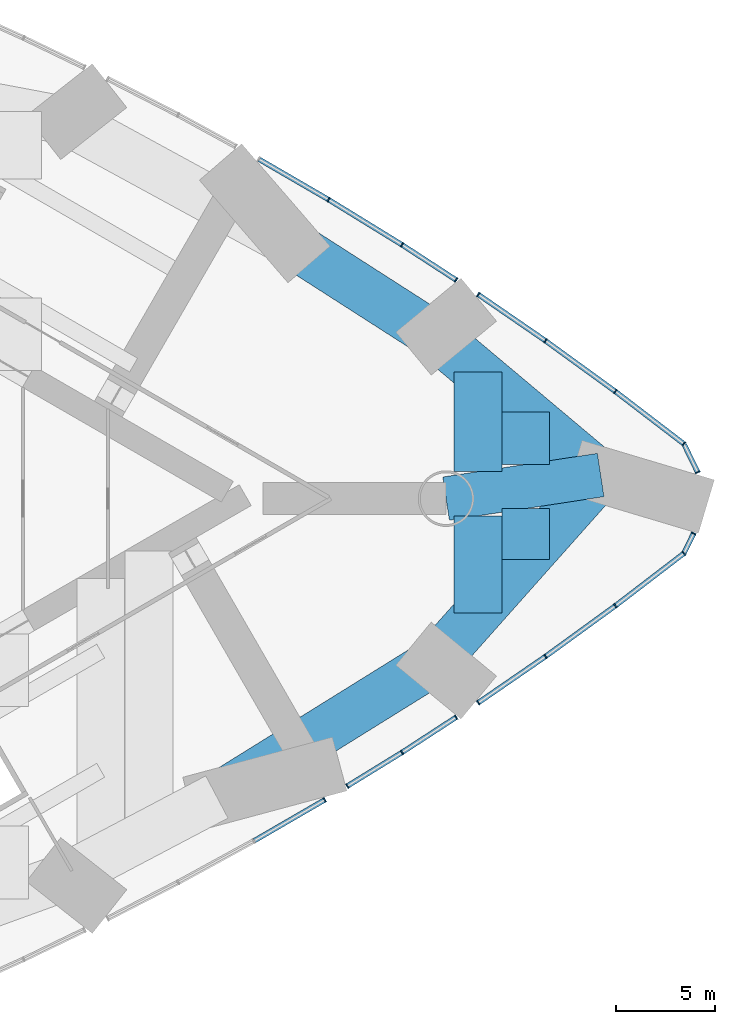
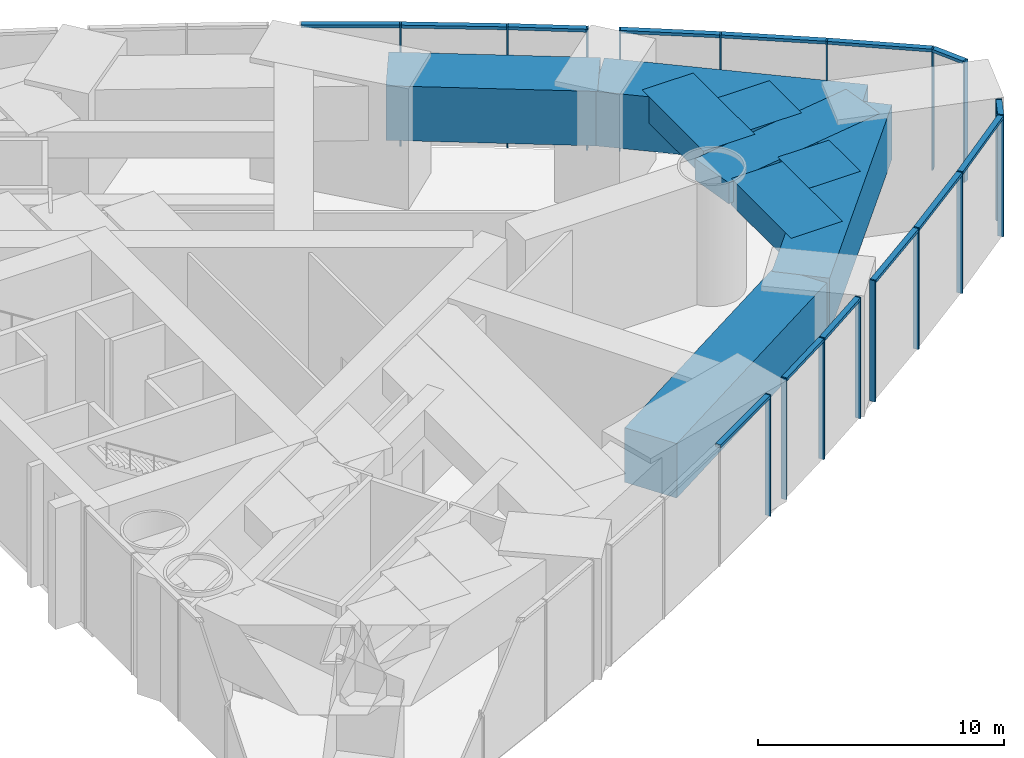
# One storey, part 9 of 18: 31 members, 9 beams, 5 elements without a shape of their own.
"""IFC4 building model written with IfcOpenShell, lengths in metres."""

from ifc_helpers import new_model, si_unit, direction, frame, origin, origin_2d, place, context, subcontext, project, spatial, rectangle, extrude, material, material_profile, profile_set, type_object, element, aggregate, save


model = new_model("IFC4")

# Units and contexts
model_context = context("Model", 3, precision=1e-05, world=origin(), true_north=direction((0.0, 1.0)))
body_context = subcontext(model_context, "Body", "Model", "MODEL_VIEW")
ifc_project = project(units=[si_unit("LENGTHUNIT", "METRE"), si_unit("AREAUNIT", "SQUARE_METRE"), si_unit("VOLUMEUNIT", "CUBIC_METRE"), si_unit("PLANEANGLEUNIT", "RADIAN"), si_unit("MASSUNIT", "GRAM", prefix="KILO")], contexts=[model_context])

# Site, building, storey
site_placement = place(None, origin())
site = spatial("IfcSite", under=ifc_project, at=site_placement, CompositionType="ELEMENT")
building_placement = place(site_placement, origin())
building = spatial("IfcBuilding", under=site, at=building_placement, Name="Lancet Gate Hotel", CompositionType="ELEMENT")
storey_placement = place(building_placement, frame((0.0, 0.0, 81.0)))
storey = spatial("IfcBuildingStorey", under=building, at=storey_placement, Name="L21", CompositionType="ELEMENT", Elevation=81.0)

# Curtain wall, member
ifc_material_1 = material(Name="Aluminium curtain wall", Category="aluminium")
curtain_wall_type = type_object("IfcCurtainWallType", Name="Refuge storey louvred curtain wall", PredefinedType="USERDEFINED", material=ifc_material_1)
curtain_wall_1_placement = place(storey_placement, origin())
curtain_wall_1 = element("IfcCurtainWall", 1, at=curtain_wall_1_placement, inside=storey, type_object=curtain_wall_type, Name="T2 L21 curtain wall 3", ObjectType="LANTERN GLAZING", PredefinedType="USERDEFINED")
ifc_material_2 = material(Name="Aluminium mullion", Category="aluminium")
ifc_material_profile_1 = material_profile(ifc_material_2, rectangle(XDim=0.06494140625, YDim=0.25, at=origin_2d()), Name="MULLION 65x250")
ifc_profile_set_1 = profile_set([ifc_material_profile_1], Name="Aluminium mullion")
member_type_1 = type_object("IfcMemberType", Name="Aluminium mullion 65x250", PredefinedType="MULLION", material=ifc_profile_set_1)
member_1_placement = place(storey_placement, frame((55.39794921875, -15.142822265625, 0.0), z_axis=(0.0, 0.0, 1.0), x_axis=(0.864871773788, 0.501992843479, 0.0)))
member_1 = element("IfcMember", 2, at=member_1_placement, type_object=member_type_1, Name="T2 L21 curtain wall 3 mullion 4", PredefinedType="MULLION", context=body_context, shape_type="SweptSolid", body=[
    extrude(rectangle(XDim=0.06494140625, YDim=0.25, at=origin_2d()), origin(), (0.0, 0.0, 1.0), 6.0),
])

# Curtain wall, members
curtain_wall_2_placement = place(storey_placement, origin())
curtain_wall_2 = element("IfcCurtainWall", 3, at=curtain_wall_2_placement, inside=storey, type_object=curtain_wall_type, Name="T2 L21 curtain wall 4", ObjectType="LANTERN GLAZING", PredefinedType="USERDEFINED")
member_2_placement = place(storey_placement, frame((56.535888671875, -14.44970703125, 0.0), z_axis=(0.0, 0.0, 1.0), x_axis=(0.851815201664, 0.523842402077, 0.0)))
member_2 = element("IfcMember", 4, at=member_2_placement, type_object=member_type_1, Name="T2 L21 curtain wall 4 mullion 1", PredefinedType="MULLION", context=body_context, shape_type="SweptSolid", body=[
    extrude(rectangle(XDim=0.06494140625, YDim=0.25, at=origin_2d()), origin(), (0.0, 0.0, 1.0), 6.0),
])
member_3_placement = place(storey_placement, frame((59.28515625, -12.7587890625, 0.0), z_axis=(0.0, 0.0, 1.0), x_axis=(0.845062265349, 0.534667904108, 0.0)))
member_3 = element("IfcMember", 5, at=member_3_placement, type_object=member_type_1, Name="T2 L21 curtain wall 4 mullion 2", PredefinedType="MULLION", context=body_context, shape_type="SweptSolid", body=[
    extrude(rectangle(XDim=0.06494140625, YDim=0.25, at=origin_2d()), origin(), (0.0, 0.0, 1.0), 6.0),
])
member_4_placement = place(storey_placement, frame((62.00439453125, -10.98974609375, 0.0), z_axis=(0.0, 0.0, 1.0), x_axis=(0.838206757819, 0.54535257508, 0.0)))
member_4 = element("IfcMember", 6, at=member_4_placement, type_object=member_type_1, Name="T2 L21 curtain wall 4 mullion 3", PredefinedType="MULLION", context=body_context, shape_type="SweptSolid", body=[
    extrude(rectangle(XDim=0.06494140625, YDim=0.25, at=origin_2d()), origin(), (0.0, 0.0, 1.0), 6.0),
])

curtain_wall_3_placement = place(storey_placement, origin())
curtain_wall_3 = element("IfcCurtainWall", 7, at=curtain_wall_3_placement, inside=storey, type_object=curtain_wall_type, Name="T2 L21 curtain wall 5", ObjectType="LANTERN GLAZING", PredefinedType="USERDEFINED")
member_5_placement = place(storey_placement, frame((63.114013671875, -10.2607421875, 0.0), z_axis=(0.0, 0.0, 1.0), x_axis=(0.824055258853, 0.566509426538, 0.0)))
member_5 = element("IfcMember", 8, at=member_5_placement, type_object=member_type_1, Name="T2 L21 curtain wall 5 mullion 1", PredefinedType="MULLION", context=body_context, shape_type="SweptSolid", body=[
    extrude(rectangle(XDim=0.06494140625, YDim=0.25, at=origin_2d()), origin(), (0.0, 0.0, 1.0), 6.0),
])
member_6_placement = place(storey_placement, frame((66.49560546875, -7.935791015625, 0.0), z_axis=(0.0, 0.0, 1.0), x_axis=(0.816575097705, 0.577239213678, 0.0)))
member_6 = element("IfcMember", 9, at=member_6_placement, type_object=member_type_1, Name="T2 L21 curtain wall 5 mullion 2", PredefinedType="MULLION", context=body_context, shape_type="SweptSolid", body=[
    extrude(rectangle(XDim=0.06494140625, YDim=0.25, at=origin_2d()), origin(), (0.0, 0.0, 1.0), 6.0),
])
member_7_placement = place(storey_placement, frame((70.00634765625, -5.388427734375, 0.0), z_axis=(0.0, 0.0, 1.0), x_axis=(0.801829932754, 0.597552306447, 0.0)))
member_7 = element("IfcMember", 10, at=member_7_placement, type_object=member_type_1, Name="T2 L21 curtain wall 5 mullion 3", PredefinedType="MULLION", context=body_context, shape_type="SweptSolid", body=[
    extrude(rectangle(XDim=0.06494140625, YDim=0.25, at=origin_2d()), origin(), (0.0, 0.0, 1.0), 6.0),
])
member_8_placement = place(storey_placement, frame((73.451416015625, -2.752197265625, 0.0), z_axis=(0.0, 0.0, 1.0), x_axis=(0.733789548429, 0.679376845805, 0.0)))
member_8 = element("IfcMember", 11, at=member_8_placement, type_object=member_type_1, Name="T2 L21 curtain wall 5 mullion 4", PredefinedType="MULLION", context=body_context, shape_type="SweptSolid", body=[
    extrude(rectangle(XDim=0.06494140625, YDim=0.25, at=origin_2d()), origin(), (0.0, 0.0, 1.0), 6.0),
])
member_9_placement = place(storey_placement, frame((73.9404296875, -1.74609375, 0.0), z_axis=(0.0, 0.0, 1.0), x_axis=(0.437169070119, 0.899379343843, 0.0)))
member_9 = element("IfcMember", 12, at=member_9_placement, type_object=member_type_1, Name="T2 L21 curtain wall 5 mullion 5", PredefinedType="MULLION", context=body_context, shape_type="SweptSolid", body=[
    extrude(rectangle(XDim=0.06494140625, YDim=0.25, at=origin_2d()), origin(), (0.0, 0.0, 1.0), 6.0),
])

curtain_wall_4_placement = place(storey_placement, origin())
curtain_wall_4 = element("IfcCurtainWall", 13, at=curtain_wall_4_placement, inside=storey, type_object=curtain_wall_type, Name="T2 L21 curtain wall 6", ObjectType="LANTERN GLAZING", PredefinedType="USERDEFINED")
member_10_placement = place(storey_placement, frame((74.145263671875, 1.324462890625, 0.0), z_axis=(0.0, 0.0, 1.0), x_axis=(-0.437169070119, 0.899379343843, 0.0)))
member_10 = element("IfcMember", 14, at=member_10_placement, type_object=member_type_1, Name="T2 L21 curtain wall 6 mullion 1", PredefinedType="MULLION", context=body_context, shape_type="SweptSolid", body=[
    extrude(rectangle(XDim=0.06494140625, YDim=0.25, at=origin_2d()), origin(), (0.0, 0.0, 1.0), 6.0),
])
member_11_placement = place(storey_placement, frame((73.451416015625, 2.752197265625, 0.0), z_axis=(0.0, 0.0, 1.0), x_axis=(-0.713542200042, 0.70061225279, 0.0)))
member_11 = element("IfcMember", 15, at=member_11_placement, type_object=member_type_1, Name="T2 L21 curtain wall 6 mullion 2", PredefinedType="MULLION", context=body_context, shape_type="SweptSolid", body=[
    extrude(rectangle(XDim=0.06494140625, YDim=0.25, at=origin_2d()), origin(), (0.0, 0.0, 1.0), 6.0),
])
member_12_placement = place(storey_placement, frame((70.00634765625, 5.388427734375, 0.0), z_axis=(0.0, 0.0, 1.0), x_axis=(-0.801829932754, 0.597552306447, 0.0)))
member_12 = element("IfcMember", 16, at=member_12_placement, type_object=member_type_1, Name="T2 L21 curtain wall 6 mullion 3", PredefinedType="MULLION", context=body_context, shape_type="SweptSolid", body=[
    extrude(rectangle(XDim=0.06494140625, YDim=0.25, at=origin_2d()), origin(), (0.0, 0.0, 1.0), 6.0),
])
member_13_placement = place(storey_placement, frame((66.49560546875, 7.935791015625, 0.0), z_axis=(0.0, 0.0, 1.0), x_axis=(-0.816575097705, 0.577239213678, 0.0)))
member_13 = element("IfcMember", 17, at=member_13_placement, type_object=member_type_1, Name="T2 L21 curtain wall 6 mullion 4", PredefinedType="MULLION", context=body_context, shape_type="SweptSolid", body=[
    extrude(rectangle(XDim=0.06494140625, YDim=0.25, at=origin_2d()), origin(), (0.0, 0.0, 1.0), 6.0),
])
member_14_placement = place(storey_placement, frame((63.114013671875, 10.2607421875, 0.0), z_axis=(0.0, 0.0, 1.0), x_axis=(-0.824055258853, 0.566509426538, 0.0)))
member_14 = element("IfcMember", 18, at=member_14_placement, type_object=member_type_1, Name="T2 L21 curtain wall 6 mullion 5", PredefinedType="MULLION", context=body_context, shape_type="SweptSolid", body=[
    extrude(rectangle(XDim=0.06494140625, YDim=0.25, at=origin_2d()), origin(), (0.0, 0.0, 1.0), 6.0),
])

curtain_wall_5_placement = place(storey_placement, origin())
curtain_wall_5 = element("IfcCurtainWall", 19, at=curtain_wall_5_placement, inside=storey, type_object=curtain_wall_type, Name="T2 L21 curtain wall 7", ObjectType="LANTERN GLAZING", PredefinedType="USERDEFINED")
member_15_placement = place(storey_placement, frame((62.00439453125, 10.98974609375, 0.0), z_axis=(0.0, 0.0, 1.0), x_axis=(-0.838206757819, 0.54535257508, 0.0)))
member_15 = element("IfcMember", 20, at=member_15_placement, type_object=member_type_1, Name="T2 L21 curtain wall 7 mullion 1", PredefinedType="MULLION", context=body_context, shape_type="SweptSolid", body=[
    extrude(rectangle(XDim=0.06494140625, YDim=0.25, at=origin_2d()), origin(), (0.0, 0.0, 1.0), 6.0),
])
member_16_placement = place(storey_placement, frame((59.28515625, 12.7587890625, 0.0), z_axis=(0.0, 0.0, 1.0), x_axis=(-0.846059676261, 0.533088195523, 0.0)))
member_16 = element("IfcMember", 21, at=member_16_placement, type_object=member_type_1, Name="T2 L21 curtain wall 7 mullion 2", PredefinedType="MULLION", context=body_context, shape_type="SweptSolid", body=[
    extrude(rectangle(XDim=0.06494140625, YDim=0.25, at=origin_2d()), origin(), (0.0, 0.0, 1.0), 6.0),
])
member_17_placement = place(storey_placement, frame((55.590087890625, 15.03125, 0.0), z_axis=(0.0, 0.0, 1.0), x_axis=(-0.858198265893, 0.513318357765, 0.0)))
member_17 = element("IfcMember", 22, at=member_17_placement, type_object=member_type_1, Name="T2 L21 curtain wall 7 mullion 3", PredefinedType="MULLION", context=body_context, shape_type="SweptSolid", body=[
    extrude(rectangle(XDim=0.06494140625, YDim=0.25, at=origin_2d()), origin(), (0.0, 0.0, 1.0), 6.0),
])

# Member
ifc_material_3 = material(Name="Aluminium transom", Category="aluminium")
ifc_material_profile_2 = material_profile(ifc_material_3, rectangle(XDim=0.25, YDim=0.14990234375, at=origin_2d()), Name="TRANSOM 250x150")
ifc_profile_set_2 = profile_set([ifc_material_profile_2], Name="Aluminium transom")
member_type_2 = type_object("IfcMemberType", Name="Aluminium transom 250x150", PredefinedType="USERDEFINED", material=ifc_profile_set_2)
member_18_placement = place(storey_placement, frame((51.86669921875, -17.1923828125, 5.925048828125), z_axis=(0.864885183008, 0.501969740337, 0.0), x_axis=(-0.501969740337, 0.864885183008, 0.0)))
member_18 = element("IfcMember", 23, at=member_18_placement, type_object=member_type_2, Name="T2 L21 curtain wall 3 transom 3", ObjectType="TRANSOM", PredefinedType="USERDEFINED", context=body_context, shape_type="SweptSolid", body=[
    extrude(rectangle(XDim=0.25, YDim=0.14990234375, at=origin_2d()), origin(), (0.0, 0.0, 1.0), 4.050537109375),
])

aggregate(curtain_wall_1, [member_1, member_18])

member_19_placement = place(storey_placement, frame((56.5634765625, -14.4326171875, 5.925048828125), z_axis=(0.85182259944, 0.523830372433, 0.0), x_axis=(-0.523830372433, 0.85182259944, 0.0)))
member_19 = element("IfcMember", 24, at=member_19_placement, type_object=member_type_2, Name="T2 L21 curtain wall 4 transom 1", ObjectType="TRANSOM", PredefinedType="USERDEFINED", context=body_context, shape_type="SweptSolid", body=[
    extrude(rectangle(XDim=0.25, YDim=0.14990234375, at=origin_2d()), origin(), (0.0, 0.0, 1.0), 3.162841796875),
])

member_20_placement = place(storey_placement, frame((59.3125, -12.7412109375, 5.925048828125), z_axis=(0.838201389047, 0.545360826793, 0.0), x_axis=(-0.545360826793, 0.838201389047, 0.0)))
member_20 = element("IfcMember", 25, at=member_20_placement, type_object=member_type_2, Name="T2 L21 curtain wall 4 transom 2", ObjectType="TRANSOM", PredefinedType="USERDEFINED", context=body_context, shape_type="SweptSolid", body=[
    extrude(rectangle(XDim=0.25, YDim=0.14990234375, at=origin_2d()), origin(), (0.0, 0.0, 1.0), 3.178955078125),
])

aggregate(curtain_wall_2, [member_2, member_3, member_4, member_19, member_20])

member_21_placement = place(storey_placement, frame((63.140625, -10.2421875, 5.925048828125), z_axis=(0.824070144406, 0.566487773124, 0.0), x_axis=(-0.566487773124, 0.824070144406, 0.0)))
member_21 = element("IfcMember", 26, at=member_21_placement, type_object=member_type_2, Name="T2 L21 curtain wall 5 transom 1", ObjectType="TRANSOM", PredefinedType="USERDEFINED", context=body_context, shape_type="SweptSolid", body=[
    extrude(rectangle(XDim=0.25, YDim=0.14990234375, at=origin_2d()), origin(), (0.0, 0.0, 1.0), 4.03857421875),
])

member_22_placement = place(storey_placement, frame((66.52197265625, -7.916748046875, 5.925048828125), z_axis=(0.809382971085, 0.587281198505, 0.0), x_axis=(-0.587281198505, 0.809382971085, 0.0)))
member_22 = element("IfcMember", 27, at=member_22_placement, type_object=member_type_2, Name="T2 L21 curtain wall 5 transom 2", ObjectType="TRANSOM", PredefinedType="USERDEFINED", context=body_context, shape_type="SweptSolid", body=[
    extrude(rectangle(XDim=0.25, YDim=0.14990234375, at=origin_2d()), origin(), (0.0, 0.0, 1.0), 4.272705078125),
])

member_23_placement = place(storey_placement, frame((70.0322265625, -5.36865234375, 5.925048828125), z_axis=(0.794155062652, 0.607715177089, 0.0), x_axis=(-0.607715177089, 0.794155062652, 0.0)))
member_23 = element("IfcMember", 28, at=member_23_placement, type_object=member_type_2, Name="T2 L21 curtain wall 5 transom 3", ObjectType="TRANSOM", PredefinedType="USERDEFINED", context=body_context, shape_type="SweptSolid", body=[
    extrude(rectangle(XDim=0.25, YDim=0.14990234375, at=origin_2d()), origin(), (0.0, 0.0, 1.0), 4.27294921875),
])

member_24_placement = place(storey_placement, frame((73.465576171875, -2.72314453125, 5.925048828125), z_axis=(0.437177090477, 0.899375445274, 0.0), x_axis=(-0.899375445274, 0.437177090477, 0.0)))
member_24 = element("IfcMember", 29, at=member_24_placement, type_object=member_type_2, Name="T2 L21 curtain wall 5 transom 4", ObjectType="TRANSOM", PredefinedType="USERDEFINED", context=body_context, shape_type="SweptSolid", body=[
    extrude(rectangle(XDim=0.25, YDim=0.14990234375, at=origin_2d()), origin(), (0.0, 0.0, 1.0), 1.0537109375),
])

aggregate(curtain_wall_3, [member_5, member_6, member_7, member_8, member_9, member_21, member_22, member_23, member_24])

member_25_placement = place(storey_placement, frame((74.131103515625, 1.353759765625, 5.925048828125), z_axis=(-0.437115244665, 0.899405505254, 0.0), x_axis=(-0.899405505254, -0.437115244665, 0.0)))
member_25 = element("IfcMember", 30, at=member_25_placement, type_object=member_type_2, Name="T2 L21 curtain wall 6 transom 1", ObjectType="TRANSOM", PredefinedType="USERDEFINED", context=body_context, shape_type="SweptSolid", body=[
    extrude(rectangle(XDim=0.25, YDim=0.14990234375, at=origin_2d()), origin(), (0.0, 0.0, 1.0), 1.5224609375),
])

member_26_placement = place(storey_placement, frame((73.425537109375, 2.77197265625, 5.925048828125), z_axis=(-0.794155062652, 0.607715177089, 0.0), x_axis=(-0.607715177089, -0.794155062652, 0.0)))
member_26 = element("IfcMember", 31, at=member_26_placement, type_object=member_type_2, Name="T2 L21 curtain wall 6 transom 2", ObjectType="TRANSOM", PredefinedType="USERDEFINED", context=body_context, shape_type="SweptSolid", body=[
    extrude(rectangle(XDim=0.25, YDim=0.14990234375, at=origin_2d()), origin(), (0.0, 0.0, 1.0), 4.27294921875),
])

member_27_placement = place(storey_placement, frame((69.980224609375, 5.407470703125, 5.925048828125), z_axis=(-0.809382971085, 0.587281198505, 0.0), x_axis=(-0.587281198505, -0.809382971085, 0.0)))
member_27 = element("IfcMember", 32, at=member_27_placement, type_object=member_type_2, Name="T2 L21 curtain wall 6 transom 3", ObjectType="TRANSOM", PredefinedType="USERDEFINED", context=body_context, shape_type="SweptSolid", body=[
    extrude(rectangle(XDim=0.25, YDim=0.14990234375, at=origin_2d()), origin(), (0.0, 0.0, 1.0), 4.272705078125),
])

member_28_placement = place(storey_placement, frame((66.46875, 7.954345703125, 5.925048828125), z_axis=(-0.824070144406, 0.566487773124, 0.0), x_axis=(-0.566487773124, -0.824070144406, 0.0)))
member_28 = element("IfcMember", 33, at=member_28_placement, type_object=member_type_2, Name="T2 L21 curtain wall 6 transom 4", ObjectType="TRANSOM", PredefinedType="USERDEFINED", context=body_context, shape_type="SweptSolid", body=[
    extrude(rectangle(XDim=0.25, YDim=0.14990234375, at=origin_2d()), origin(), (0.0, 0.0, 1.0), 4.03857421875),
])

aggregate(curtain_wall_4, [member_10, member_11, member_12, member_13, member_14, member_25, member_26, member_27, member_28])

member_29_placement = place(storey_placement, frame((61.97705078125, 11.007568359375, 5.925048828125), z_axis=(-0.838201389047, 0.545360826793, 0.0), x_axis=(-0.545360826793, -0.838201389047, 0.0)))
member_29 = element("IfcMember", 34, at=member_29_placement, type_object=member_type_2, Name="T2 L21 curtain wall 7 transom 1", ObjectType="TRANSOM", PredefinedType="USERDEFINED", context=body_context, shape_type="SweptSolid", body=[
    extrude(rectangle(XDim=0.25, YDim=0.14990234375, at=origin_2d()), origin(), (0.0, 0.0, 1.0), 3.178955078125),
])

member_30_placement = place(storey_placement, frame((59.257568359375, 12.77587890625, 5.925048828125), z_axis=(-0.851815224451, 0.523842365023, 0.0), x_axis=(-0.523842365023, -0.851815224451, 0.0)))
member_30 = element("IfcMember", 35, at=member_30_placement, type_object=member_type_2, Name="T2 L21 curtain wall 7 transom 2", ObjectType="TRANSOM", PredefinedType="USERDEFINED", context=body_context, shape_type="SweptSolid", body=[
    extrude(rectangle(XDim=0.25, YDim=0.14990234375, at=origin_2d()), origin(), (0.0, 0.0, 1.0), 4.272705078125),
])

member_31_placement = place(storey_placement, frame((55.56201171875, 15.04736328125, 5.925048828125), z_axis=(-0.86486252634, 0.502008775354, 0.0), x_axis=(-0.502008775354, -0.86486252634, 0.0)))
member_31 = element("IfcMember", 36, at=member_31_placement, type_object=member_type_2, Name="T2 L21 curtain wall 7 transom 3", ObjectType="TRANSOM", PredefinedType="USERDEFINED", context=body_context, shape_type="SweptSolid", body=[
    extrude(rectangle(XDim=0.25, YDim=0.14990234375, at=origin_2d()), origin(), (0.0, 0.0, 1.0), 3.99658203125),
])

aggregate(curtain_wall_5, [member_15, member_16, member_17, member_29, member_30, member_31])

# Beams
ifc_material_4 = material(Name="Concrete C50/60", Category="concrete")
ifc_material_profile_3 = material_profile(ifc_material_4, rectangle(XDim=2.39990234375, YDim=1.300048828125, at=origin_2d()), Name="RC 2400x1300")
ifc_profile_set_3 = profile_set([ifc_material_profile_3], Name="Concrete C50/60")
beam_type_1 = type_object("IfcBeamType", Name="Floor beam RC 2400x1300", PredefinedType="BEAM", material=ifc_profile_set_3)
beam_1_placement = place(storey_placement, frame((63.102294921875, -5.75, 5.10009765625), z_axis=(0.0, 1.0, 0.0), x_axis=(-1.0, 0.0, 0.0)))
element("IfcBeam", 37, at=beam_1_placement, inside=storey, type_object=beam_type_1, Name="T2 floor beam F11S L21", PredefinedType="BEAM", context=body_context, shape_type="SweptSolid", body=[
    extrude(rectangle(XDim=2.39990234375, YDim=1.300048828125, at=origin_2d()), origin(), (0.0, 0.0, 1.0), 4.8818359375),
])
beam_2_placement = place(storey_placement, frame((63.102294921875, 1.357421875, 5.10009765625), z_axis=(0.0, 1.0, 0.0), x_axis=(-1.0, 0.0, 0.0)))
element("IfcBeam", 38, at=beam_2_placement, inside=storey, type_object=beam_type_1, Name="T2 floor beam F12N L21", PredefinedType="BEAM", context=body_context, shape_type="SweptSolid", body=[
    extrude(rectangle(XDim=2.39990234375, YDim=1.300048828125, at=origin_2d()), origin(), (0.0, 0.0, 1.0), 5.00830078125),
])
beam_3_placement = place(storey_placement, frame((65.502197265625, -3.05029296875, 5.10009765625), z_axis=(0.0, 1.0, 0.0), x_axis=(-1.0, 0.0, 0.0)))
element("IfcBeam", 39, at=beam_3_placement, inside=storey, type_object=beam_type_1, Name="T2 floor beam F13S L21", PredefinedType="BEAM", context=body_context, shape_type="SweptSolid", body=[
    extrude(rectangle(XDim=2.39990234375, YDim=1.300048828125, at=origin_2d()), origin(), (0.0, 0.0, 1.0), 2.548828125),
])
beam_4_placement = place(storey_placement, frame((65.502197265625, 1.72412109375, 5.10009765625), z_axis=(0.0, 1.0, 0.0), x_axis=(-1.0, 0.0, 0.0)))
element("IfcBeam", 40, at=beam_4_placement, inside=storey, type_object=beam_type_1, Name="T2 floor beam F14N L21", PredefinedType="BEAM", context=body_context, shape_type="SweptSolid", body=[
    extrude(rectangle(XDim=2.39990234375, YDim=1.300048828125, at=origin_2d()), origin(), (0.0, 0.0, 1.0), 2.6259765625),
])
ifc_material_5 = material(Name="Concrete C50/60", Category="concrete")
ifc_material_profile_4 = material_profile(ifc_material_5, rectangle(XDim=2.199951171875, YDim=1.050048828125, at=origin_2d()), Name="RC 2200x1050")
ifc_profile_set_4 = profile_set([ifc_material_profile_4], Name="Concrete C50/60")
beam_type_2 = type_object("IfcBeamType", Name="Radial floor beam RC 2200x1050", PredefinedType="BEAM", material=ifc_profile_set_4)
beam_5_placement = place(storey_placement, frame((69.268798828125, 1.1865234375, 5.22509765625), z_axis=(-0.988537031619, -0.150978598211, 0.0), x_axis=(0.150978598211, -0.988537031619, 0.0)))
element("IfcBeam", 41, at=beam_5_placement, inside=storey, type_object=beam_type_2, Name="T2 radial beam CA L21", PredefinedType="BEAM", context=body_context, shape_type="SweptSolid", body=[
    extrude(rectangle(XDim=2.199951171875, YDim=1.050048828125, at=origin_2d()), origin(), (0.0, 0.0, 1.0), 7.85888671875),
])
ifc_material_6 = material(Name="Concrete C50/60", Category="concrete")
ifc_material_profile_5 = material_profile(ifc_material_6, rectangle(XDim=2.39990234375, YDim=2.699951171875, at=origin_2d()), Name="RC 2400x2700")
ifc_profile_set_5 = profile_set([ifc_material_profile_5], Name="Concrete C50/60")
beam_type_3 = type_object("IfcBeamType", Name="Tie ring beam RC 2400x2700", PredefinedType="SPANDREL", material=ifc_profile_set_5)
beam_6_placement = place(storey_placement, frame((49.97900390625, -14.994384765625, 4.39990234375), z_axis=(0.849312372751, 0.527890607505, 0.0), x_axis=(-0.527890607505, 0.849312372751, 0.0)))
element("IfcBeam", 42, at=beam_6_placement, inside=storey, type_object=beam_type_3, Name="T2 tie ring beam RG3 L21", PredefinedType="SPANDREL", context=body_context, shape_type="SweptSolid", body=[
    extrude(rectangle(XDim=2.39990234375, YDim=2.699951171875, at=origin_2d()), origin(), (0.0, 0.0, 1.0), 12.906494140625),
])
beam_7_placement = place(storey_placement, frame((60.940673828125, -8.18115234375, 4.39990234375), z_axis=(0.664421866815, 0.74735773422, 0.0), x_axis=(-0.74735773422, 0.664421866815, 0.0)))
element("IfcBeam", 43, at=beam_7_placement, inside=storey, type_object=beam_type_3, Name="T2 tie ring beam RG3 L21", PredefinedType="SPANDREL", context=body_context, shape_type="SweptSolid", body=[
    extrude(rectangle(XDim=2.39990234375, YDim=2.699951171875, at=origin_2d()), origin(), (0.0, 0.0, 1.0), 12.534423828125),
])
beam_8_placement = place(storey_placement, frame((69.268798828125, 1.1865234375, 4.39990234375), z_axis=(-0.765749969712, 0.643138386264, 0.0), x_axis=(-0.643138386264, -0.765749969712, 0.0)))
element("IfcBeam", 44, at=beam_8_placement, inside=storey, type_object=beam_type_3, Name="T2 tie ring beam RG3 L21", PredefinedType="SPANDREL", context=body_context, shape_type="SweptSolid", body=[
    extrude(rectangle(XDim=2.39990234375, YDim=2.699951171875, at=origin_2d()), origin(), (0.0, 0.0, 1.0), 10.875732421875),
])
beam_9_placement = place(storey_placement, frame((60.940673828125, 8.18115234375, 4.39990234375), z_axis=(-0.841727408736, 0.539902740669, 0.0), x_axis=(-0.539902740669, -0.841727408736, 0.0)))
element("IfcBeam", 45, at=beam_9_placement, inside=storey, type_object=beam_type_3, Name="T2 tie ring beam RG3 L21", PredefinedType="SPANDREL", context=body_context, shape_type="SweptSolid", body=[
    extrude(rectangle(XDim=2.39990234375, YDim=2.699951171875, at=origin_2d()), origin(), (0.0, 0.0, 1.0), 8.605712890625),
])

save(model, "model.ifc")
